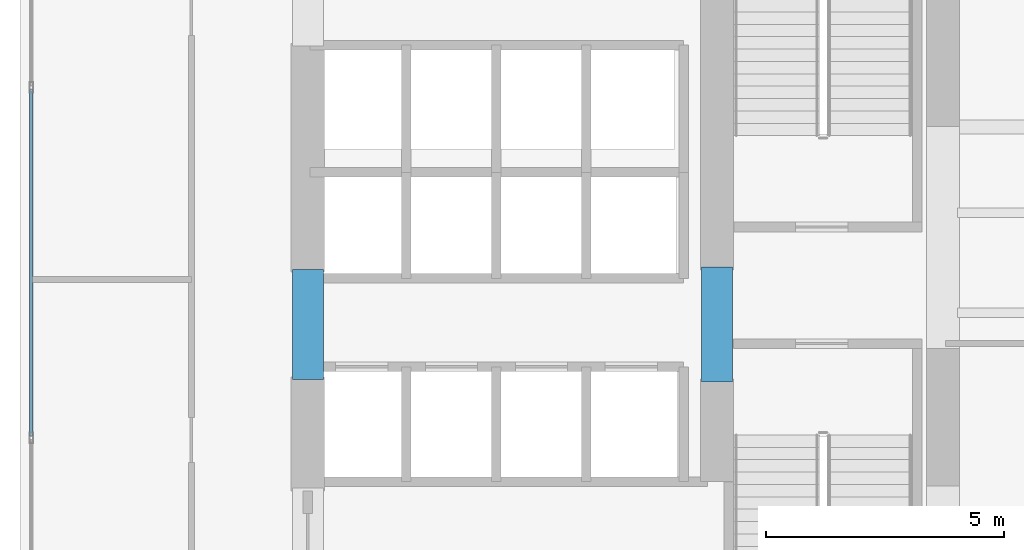
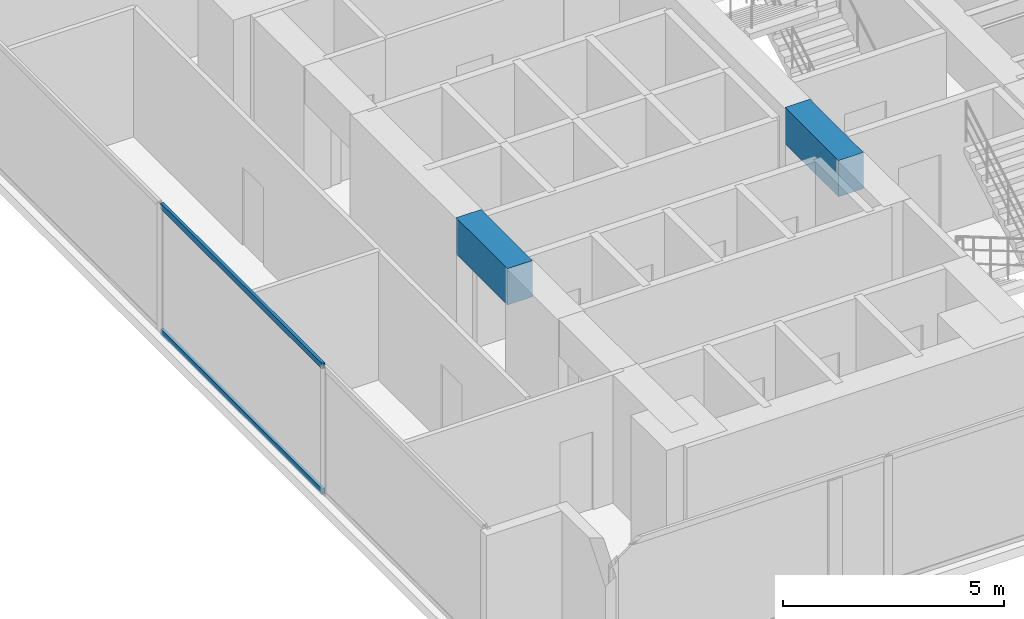
# One storey, part 3 of 27: 2 beams, 2 members, 1 element without a shape of its own.
"""IFC4 building model written with IfcOpenShell, lengths in metres."""

from ifc_helpers import new_model, si_unit, direction, frame, origin, origin_with_axes, origin_2d, place, context, subcontext, project, spatial, rectangle, hollow_rectangle, extrude, source, transform, mapped, material, layer, layer_set, material_profile, profile_set, type_object, element, aggregate, save


model = new_model("IFC4")

# Units and contexts
model_context = context("Model", 3, precision=1e-05, world=origin(), true_north=direction((0.0, 1.0)))
body_context = subcontext(model_context, "Body", "Model", "MODEL_VIEW")
ifc_project = project(units=[si_unit("LENGTHUNIT", "METRE"), si_unit("AREAUNIT", "SQUARE_METRE"), si_unit("VOLUMEUNIT", "CUBIC_METRE"), si_unit("PLANEANGLEUNIT", "RADIAN"), si_unit("MASSUNIT", "GRAM", prefix="KILO")], contexts=[model_context])

# Site, building, storey
site_placement = place(None, origin())
site = spatial("IfcSite", under=ifc_project, at=site_placement, CompositionType="ELEMENT")
building_placement = place(site_placement, origin())
building = spatial("IfcBuilding", under=site, at=building_placement, Name="Kolvaren Waterfront Exchange", CompositionType="ELEMENT")
storey_placement = place(building_placement, frame((0.0, 0.0, 63.800048828125)))
storey = spatial("IfcBuildingStorey", under=building, at=storey_placement, Name="L16", CompositionType="ELEMENT", Elevation=63.800048828125)

# Beams
ifc_material_1 = material(Name="Concrete C60/75", Category="concrete")
ifc_material_profile_1 = material_profile(ifc_material_1, rectangle(XDim=0.64990234375, YDim=1.0, at=origin_2d()), Name="RC-CB-1000x650")
ifc_profile_set_1 = profile_set([ifc_material_profile_1], Name="Concrete C60/75")
beam_type = type_object("IfcBeamType", Name="STR-CB-1000", PredefinedType="SPANDREL", material=ifc_profile_set_1)
beam_1_placement = place(storey_placement, frame((7.449951171875, 12.090087890625, 3.0400390625), z_axis=(0.0, 1.0, 0.0), x_axis=(-1.0, 0.0, 0.0)))
element("IfcBeam", 1, at=beam_1_placement, inside=storey, type_object=beam_type, Name="L16 core coupling beam 4", PredefinedType="SPANDREL", context=body_context, shape_type="SweptSolid", body=[
    extrude(rectangle(XDim=0.64990234375, YDim=1.0, at=origin_2d()), origin(), (0.0, 0.0, 1.0), 2.31982421875),
])
beam_2_placement = place(storey_placement, frame((16.050048828125, 12.0400390625, 3.0400390625), z_axis=(0.0, 1.0, 0.0), x_axis=(-1.0, 0.0, 0.0)))
element("IfcBeam", 2, at=beam_2_placement, inside=storey, type_object=beam_type, Name="L16 core coupling beam 6", PredefinedType="SPANDREL", context=body_context, shape_type="SweptSolid", body=[
    extrude(rectangle(XDim=0.64990234375, YDim=1.0, at=origin_2d()), origin(), (0.0, 0.0, 1.0), 2.419921875),
])

# Curtain wall, members
ifc_material_2 = material(Name="Anodised aluminium 6063-T6", Category="aluminium")
ifc_layer = layer(ifc_material_2, 0.219970703125, Name="Anodised aluminium 6063-T6")
ifc_layer_set = layer_set([ifc_layer], Name="Anodised aluminium 6063-T6")
curtain_wall_type = type_object("IfcCurtainWallType", Name="ARC-CW-SYS2", PredefinedType="USERDEFINED", material=ifc_layer_set)
curtain_wall_placement = place(storey_placement, origin())
curtain_wall = element("IfcCurtainWall", 3, at=curtain_wall_placement, inside=storey, type_object=curtain_wall_type, Name="L16 stick curtain wall CW2 (CW-L16-W)", ObjectType="STICK CURTAIN WALL", PredefinedType="USERDEFINED")
ifc_material_profile_2 = material_profile(ifc_material_2, hollow_rectangle(XDim=0.074951171875, YDim=0.159912109375, WallThickness=0.00439453125, at=origin_2d()), Name="ALU-TRN-160x75x4.5")
ifc_profile_set_2 = profile_set([ifc_material_profile_2], Name="Anodised aluminium 6063-T6")
member_type = type_object("IfcMemberType", Name="ARC-CWT-160", PredefinedType="USERDEFINED", material=ifc_profile_set_2)
shared_shape = source(origin_with_axes(), body_context, "Body", "SweptSolid", [
    extrude(hollow_rectangle(XDim=0.074951171875, YDim=0.159912109375, WallThickness=0.00439453125, at=origin_2d()), origin(), (0.0, 0.0, 1.0), 7.28662109375),
])
member_1_placement = place(storey_placement, frame((1.639892578125, 10.90673828125, 0.037353515625), z_axis=(0.0, 1.0, 0.0), x_axis=(-1.0, 0.0, 0.0)))
member_1 = element("IfcMember", 4, at=member_1_placement, type_object=member_type, Name="CW2 transom 2.1", ObjectType="TRANSOM", PredefinedType="USERDEFINED", context=body_context, shape_type="MappedRepresentation", body=[
    mapped(shared_shape, transform((0.0, 0.0, 0.0), x_axis=(1.0, 0.0, 0.0), y_axis=(0.0, 1.0, 0.0), z_axis=(0.0, 0.0, 1.0), scale=1.0)),
])
member_2_placement = place(storey_placement, frame((1.639892578125, 10.90673828125, 3.50244140625), z_axis=(0.0, 1.0, 0.0), x_axis=(-1.0, 0.0, 0.0)))
member_2 = element("IfcMember", 5, at=member_2_placement, type_object=member_type, Name="CW2 transom 2.2", ObjectType="TRANSOM", PredefinedType="USERDEFINED", context=body_context, shape_type="MappedRepresentation", body=[
    mapped(shared_shape, transform((0.0, 0.0, 0.0), x_axis=(1.0, 0.0, 0.0), y_axis=(0.0, 1.0, 0.0), z_axis=(0.0, 0.0, 1.0), scale=1.0)),
])
aggregate(curtain_wall, [member_1, member_2])

save(model, "model.ifc")
